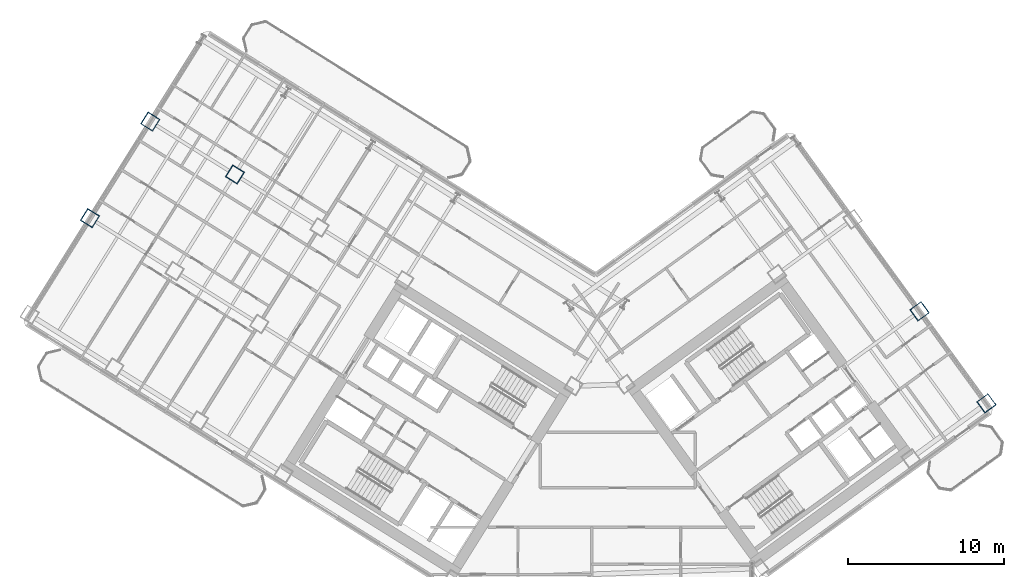
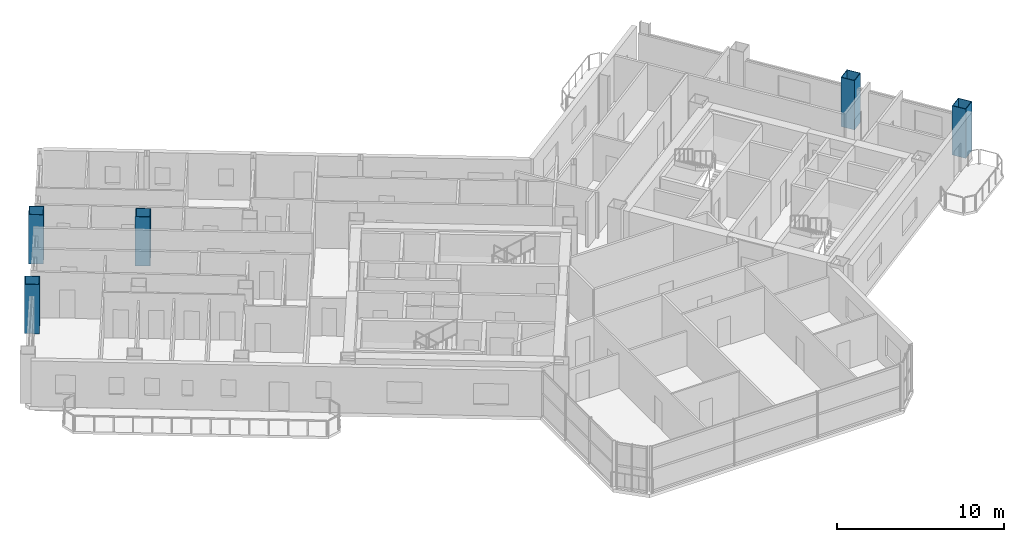
# One storey, part 2 of 21: 5 columns.
"""IFC4 building model written with IfcOpenShell, lengths in metres."""

from ifc_helpers import new_model, si_unit, direction, frame, origin, origin_2d, place, context, subcontext, project, spatial, hollow_rectangle, extrude, source, transform, mapped, material, material_profile, profile_set, type_object, element, save


model = new_model("IFC4")

# Units and contexts
model_context = context("Model", 3, precision=1e-05, world=origin(), true_north=direction((0.0, 1.0)))
body_context = subcontext(model_context, "Body", "Model", "MODEL_VIEW")
ifc_project = project(units=[si_unit("LENGTHUNIT", "METRE"), si_unit("AREAUNIT", "SQUARE_METRE"), si_unit("VOLUMEUNIT", "CUBIC_METRE"), si_unit("PLANEANGLEUNIT", "RADIAN"), si_unit("MASSUNIT", "GRAM", prefix="KILO")], contexts=[model_context])

# Site, building, storey
site_placement = place(None, origin())
site = spatial("IfcSite", under=ifc_project, at=site_placement, CompositionType="ELEMENT")
building_placement = place(site_placement, origin())
building = spatial("IfcBuilding", under=site, at=building_placement, Name="Tlacorven Tower", CompositionType="ELEMENT")
storey_placement = place(building_placement, frame((0.0, 0.0, 90.0)))
storey = spatial("IfcBuildingStorey", under=building, at=storey_placement, Name="L22", CompositionType="ELEMENT", Elevation=90.0)

# Columns
ifc_material = material(Name="Steel S460M", Category="steel")
ifc_material_profile = material_profile(ifc_material, hollow_rectangle(XDim=0.89990234375, YDim=0.89990234375, WallThickness=0.035888671875, at=origin_2d()), Name="BOX 900X900X36")
ifc_profile_set = profile_set([ifc_material_profile], Name="Steel S460M")
column_type = type_object("IfcColumnType", Name="COL-TWR-S2", PredefinedType="COLUMN", material=ifc_profile_set)
shared_shape = source(origin(), body_context, "Body", "SweptSolid", [
    extrude(hollow_rectangle(XDim=0.89990234375, YDim=0.89990234375, WallThickness=0.035888671875, at=origin_2d()), origin(), (0.0, 0.0, 1.0), 3.60009765625),
])
for number, where, z_axis, x_axis, name in (
    (1, (19.072998046875, 38.034423828125, 0.0), (0.0, 0.0, 1.0), (-0.848048096156, 0.529919264233, 0.0), "L22 column COL-L22-W5-2"),
    (2, (13.6455078125, 41.42578125, 0.0), (0.0, 0.0, 1.0), (-0.848048096156, 0.529919264233, 0.0), "L22 column COL-L22-W6-2"),
    (3, (9.777099609375, 35.235107421875, 0.0), (0.0, 0.0, 1.0), (-0.848048096156, 0.529919264233, 0.0), "L22 column COL-L22-W6-3"),
    (4, (67.267822265625, 23.353515625, 0.0), (0.0, 0.0, 1.0), (0.809016994375, 0.587785252292, 0.0), "L22 column COL-L22-E4-1"),
    (5, (62.976806640625, 29.25927734375, 0.0), (0.0, 0.0, 1.0), (0.809016994375, 0.587785252292, 0.0), "L22 column COL-L22-E4-2"),
):
    element("IfcColumn", number, at=place(storey_placement, frame(where, z_axis=z_axis, x_axis=x_axis)), inside=storey, type_object=column_type, Name=name, PredefinedType="COLUMN", context=body_context, shape_type="MappedRepresentation", body=[
        mapped(shared_shape, transform((0.0, 0.0, 0.0), scale=1.0)),
    ])

save(model, "model.ifc")
